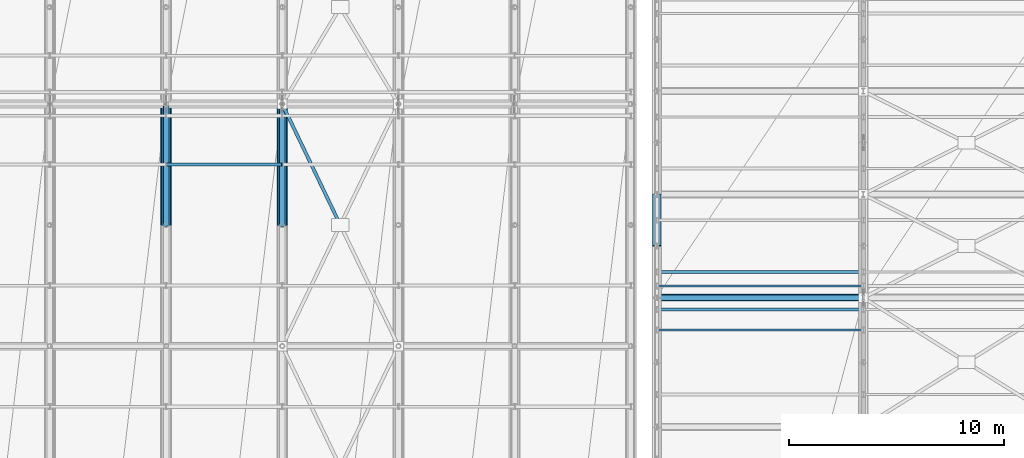
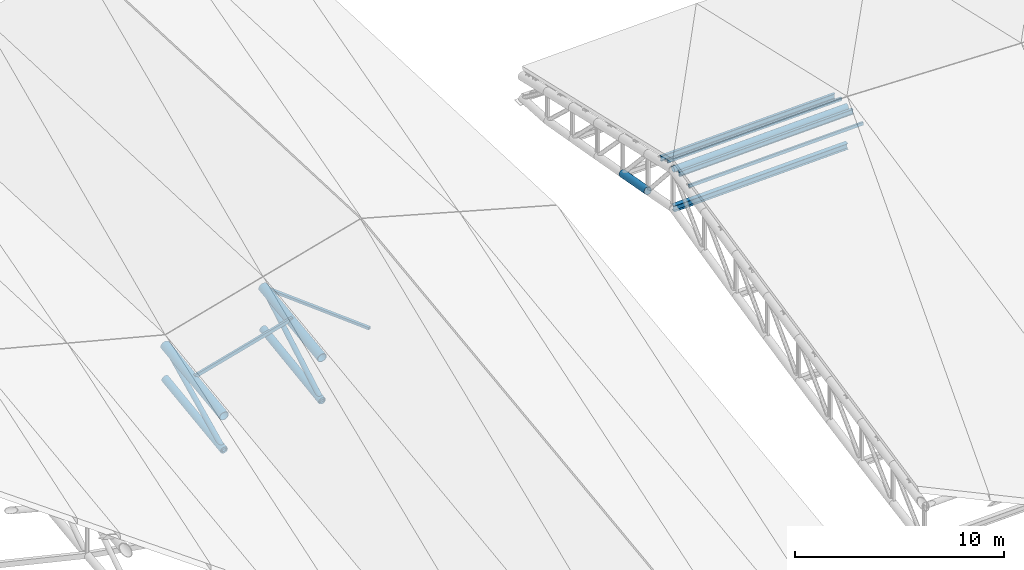
# One storey, part 43 of 109: 10 members, 5 beams.
"""IFC4 building model written with IfcOpenShell, lengths in metres."""

from ifc_helpers import new_model, si_unit, direction, frame, origin, origin_2d, place, context, subcontext, project, spatial, hollow_rectangle, hollow_circle, i_section, extrude, material, material_profile, profile_set, type_object, element, save


model = new_model("IFC4")

# Units and contexts
model_context = context("Model", 3, precision=1e-05, world=origin(), true_north=direction((0.0, 1.0)))
body_context = subcontext(model_context, "Body", "Model", "MODEL_VIEW")
ifc_project = project(units=[si_unit("LENGTHUNIT", "METRE"), si_unit("AREAUNIT", "SQUARE_METRE"), si_unit("VOLUMEUNIT", "CUBIC_METRE"), si_unit("PLANEANGLEUNIT", "RADIAN"), si_unit("MASSUNIT", "GRAM", prefix="KILO")], contexts=[model_context])

# Site, building, storey
site_placement = place(None, origin())
site = spatial("IfcSite", under=ifc_project, at=site_placement, CompositionType="ELEMENT")
building_placement = place(site_placement, origin())
building = spatial("IfcBuilding", under=site, at=building_placement, Name="Suirenkawa Promenade Aquatics Centre", CompositionType="ELEMENT")
storey_placement = place(building_placement, frame((0.0, 0.0, 22.800048828125)))
storey = spatial("IfcBuildingStorey", under=building, at=storey_placement, Name="ROOF", CompositionType="ELEMENT", Elevation=22.800048828125)

# Beams
ifc_material = material(Name="Steel IS 2062 E350 (Grade 350)", Category="steel")
ifc_material_profile_1 = material_profile(ifc_material, hollow_circle(Radius=0.202880859375, WallThickness=0.01806640625, at=origin_2d()), Name="CHS 406x18", Category="steel")
ifc_profile_set_1 = profile_set([ifc_material_profile_1], Name="Steel IS 2062 E350 (Grade 350)")
beam_type_1 = type_object("IfcBeamType", Name="BT-BC-CHS406", PredefinedType="BEAM", material=ifc_profile_set_1)
beam_1_placement = place(storey_placement, frame((133.199951171875, 89.77490234375, -11.9140625), z_axis=(0.0, 0.991040964108, 0.133558254929), x_axis=(-1.0, 0.0, 0.0)))
element("IfcBeam", 1, at=beam_1_placement, inside=storey, type_object=beam_type_1, Name="ROOF TRUSS V1 bottom chord BC-01 BM-2270", PredefinedType="BEAM", context=body_context, shape_type="SweptSolid", body=[
    extrude(hollow_circle(Radius=0.202880859375, WallThickness=0.01806640625, at=origin_2d()), origin(), (0.0, 0.0, 1.0), 5.67578125),
])
beam_2_placement = place(storey_placement, frame((138.60009765625, 89.77490234375, -10.93408203125), z_axis=(0.0, 0.990209108988, 0.139591978559), x_axis=(-1.0, 0.0, 0.0)))
element("IfcBeam", 2, at=beam_2_placement, inside=storey, type_object=beam_type_1, Name="ROOF TRUSS V1 bottom chord BC-01 BM-2298", PredefinedType="BEAM", context=body_context, shape_type="SweptSolid", body=[
    extrude(hollow_circle(Radius=0.202880859375, WallThickness=0.01806640625, at=origin_2d()), origin(), (0.0, 0.0, 1.0), 5.6806640625),
])
beam_3_placement = place(storey_placement, frame((156.0, 88.800048828125, -4.192138671875), z_axis=(0.0, 0.983252807132, -0.182246858046), x_axis=(-1.0, 0.0, 0.0)))
element("IfcBeam", 3, at=beam_3_placement, inside=storey, type_object=beam_type_1, Name="ROOF TRUSS V2 bottom chord BC-01 BM-2422", PredefinedType="BEAM", context=body_context, shape_type="SweptSolid", body=[
    extrude(hollow_circle(Radius=0.202880859375, WallThickness=0.01806640625, at=origin_2d()), origin(), (0.0, 0.0, 1.0), 2.440673828125),
])
ifc_material_profile_2 = material_profile(ifc_material, hollow_circle(Radius=0.25390625, WallThickness=0.02392578125, at=origin_2d()), Name="CHS 508x24", Category="steel")
ifc_profile_set_2 = profile_set([ifc_material_profile_2], Name="Steel IS 2062 E350 (Grade 350)")
beam_type_2 = type_object("IfcBeamType", Name="BT-TC-CHS508", PredefinedType="BEAM", material=ifc_profile_set_2)
for number, where, z_axis, x_axis, name in (
    (4, (133.199951171875, 89.77490234375, -9.925048828125), (0.0, 0.991793720609, 0.127848409297), (-1.0, 0.0, 0.0), "ROOF TRUSS V1 top chord TC-02 BM-2269"),
    (5, (138.60009765625, 89.77490234375, -8.425048828125), (0.0, 0.991793720609, 0.127848409297), (-1.0, 0.0, 0.0), "ROOF TRUSS V1 top chord TC-02 BM-2297"),
):
    element("IfcBeam", number, at=place(storey_placement, frame(where, z_axis=z_axis, x_axis=x_axis)), inside=storey, type_object=beam_type_2, Name=name, PredefinedType="BEAM", context=body_context, shape_type="SweptSolid", body=[
        extrude(hollow_circle(Radius=0.25390625, WallThickness=0.02392578125, at=origin_2d()), origin(), (0.0, 0.0, 1.0), 5.671630859375),
    ])

# Members
ifc_material_profile_3 = material_profile(ifc_material, hollow_rectangle(XDim=0.14990234375, YDim=0.14990234375, WallThickness=0.008056640625, at=origin_2d()), Name="SHS 150x150x8", Category="steel")
ifc_profile_set_3 = profile_set([ifc_material_profile_3], Name="Steel IS 2062 E350 (Grade 350)")
member_type_1 = type_object("IfcMemberType", Name="MT-BRACE-SHS150", PredefinedType="BRACE", material=ifc_profile_set_3)
member_1_placement = place(storey_placement, frame((141.262939453125, 89.85205078125, -7.675048828125), z_axis=(-0.432710757709, 0.901523724047, -0.004046621187), x_axis=(-0.901531105428, -0.432714300603, 0.0)))
element("IfcMember", 6, at=member_1_placement, inside=storey, type_object=member_type_1, Name="ROOF TRUSS V1 split plan brace B BF-02 MB-0964", PredefinedType="BRACE", context=body_context, shape_type="SweptSolid", body=[
    extrude(hollow_rectangle(XDim=0.14990234375, YDim=0.14990234375, WallThickness=0.008056640625, at=origin_2d()), origin(), (0.0, 0.0, 1.0), 6.15380859375),
])
ifc_material_profile_4 = material_profile(ifc_material, hollow_circle(Radius=0.162109375, WallThickness=0.013916015625, at=origin_2d()), Name="CHS 324x14", Category="steel")
ifc_profile_set_4 = profile_set([ifc_material_profile_4], Name="Steel IS 2062 E350 (Grade 350)")
member_type_2 = type_object("IfcMemberType", Name="MT-CHORD-CHS324", PredefinedType="CHORD", material=ifc_profile_set_4)
member_2_placement = place(storey_placement, frame((156.0, 86.39990234375, -1.47998046875), z_axis=(0.999511927284, 0.0, 0.031239513723), x_axis=(0.0, 1.0, 0.0)))
element("IfcMember", 7, at=member_2_placement, inside=storey, type_object=member_type_2, Name="ROOF TRUSS V2 tie chord CH-01 MB-1210", PredefinedType="CHORD", context=body_context, shape_type="SweptSolid", body=[
    extrude(hollow_circle(Radius=0.162109375, WallThickness=0.013916015625, at=origin_2d()), origin(), (0.0, 0.0, 1.0), 9.604736328125),
])
ifc_material_profile_5 = material_profile(ifc_material, i_section(OverallWidth=0.25, OverallDepth=0.35009765625, WebThickness=0.010009765625, FlangeThickness=0.011962890625, at=origin_2d()), Name="ISHB 350", Category="steel")
ifc_profile_set_5 = profile_set([ifc_material_profile_5], Name="Steel IS 2062 E350 (Grade 350)")
member_type_3 = type_object("IfcMemberType", Name="MT-CHORD-ISHB350", PredefinedType="CHORD", material=ifc_profile_set_5)
member_3_placement = place(storey_placement, frame((156.0, 86.39990234375, -3.734130859375), z_axis=(0.999511927284, 0.0, 0.031239513723), x_axis=(0.0, 1.0, 0.0)))
element("IfcMember", 8, at=member_3_placement, inside=storey, type_object=member_type_3, Name="ROOF TRUSS V2 bottom tie CH-04 MB-1211", PredefinedType="CHORD", context=body_context, shape_type="SweptSolid", body=[
    extrude(i_section(OverallWidth=0.25, OverallDepth=0.35009765625, WebThickness=0.010009765625, FlangeThickness=0.011962890625, at=origin_2d()), origin(), (0.0, 0.0, 1.0), 9.604736328125),
])
ifc_material_profile_6 = material_profile(ifc_material, i_section(OverallWidth=0.139892578125, OverallDepth=0.300048828125, WebThickness=0.008056640625, FlangeThickness=0.012939453125, at=origin_2d()), Name="ISMB 300", Category="steel")
ifc_profile_set_6 = profile_set([ifc_material_profile_6], Name="Steel IS 2062 E350 (Grade 350)")
member_type_4 = type_object("IfcMemberType", Name="MT-PURLIN-ISMB300", PredefinedType="PURLIN", material=ifc_profile_set_6)
for number, where, z_axis, x_axis, name in (
    (9, (156.0, 85.85009765625, -1.41015625), (0.999511927284, 0.0, 0.031239513723), (0.0, 1.0, 0.0), "ROOF TRUSS Roof purlin PU-05 MB-2446"),
    (10, (156.0, 87.60009765625, -1.571044921875), (0.999511927284, 0.0, 0.031239513723), (0.0, 1.0, 0.0), "ROOF TRUSS Roof purlin PU-05 MB-2452"),
):
    element("IfcMember", number, at=place(storey_placement, frame(where, z_axis=z_axis, x_axis=x_axis)), inside=storey, type_object=member_type_4, Name=name, PredefinedType="PURLIN", context=body_context, shape_type="SweptSolid", body=[
        extrude(i_section(OverallWidth=0.139892578125, OverallDepth=0.300048828125, WebThickness=0.008056640625, FlangeThickness=0.012939453125, at=origin_2d()), origin(), (0.0, 0.0, 1.0), 9.604736328125),
    ])
ifc_material_profile_7 = material_profile(ifc_material, hollow_rectangle(XDim=0.10009765625, YDim=0.179931640625, WallThickness=0.008056640625, at=origin_2d()), Name="RHS 180x100x8", Category="steel")
ifc_profile_set_7 = profile_set([ifc_material_profile_7], Name="Steel IS 2062 E350 (Grade 350)")
member_type_5 = type_object("IfcMemberType", Name="MT-PURLIN-RHS180", PredefinedType="PURLIN", material=ifc_profile_set_7)
for number, where, z_axis, x_axis, name in (
    (11, (156.0, 84.89990234375, -1.546142578125), (0.999511927284, 0.0, 0.031239513723), (0.0, 1.0, 0.0), "ROOF TRUSS Roof purlin PU-01 MB-2443"),
    (12, (156.0, 86.949951171875, -1.35693359375), (0.99951272064, 0.0, 0.031214119855), (0.0, 1.0, 0.0), "ROOF TRUSS Roof purlin PU-01 MB-2449"),
):
    element("IfcMember", number, at=place(storey_placement, frame(where, z_axis=z_axis, x_axis=x_axis)), inside=storey, type_object=member_type_5, Name=name, PredefinedType="PURLIN", context=body_context, shape_type="SweptSolid", body=[
        extrude(hollow_rectangle(XDim=0.10009765625, YDim=0.179931640625, WallThickness=0.008056640625, at=origin_2d()), origin(), (0.0, 0.0, 1.0), 9.604736328125),
    ])
ifc_material_profile_8 = material_profile(ifc_material, hollow_rectangle(XDim=0.1201171875, YDim=0.199951171875, WallThickness=0.008056640625, at=origin_2d()), Name="RHS 200x120x8", Category="steel")
ifc_profile_set_8 = profile_set([ifc_material_profile_8], Name="Steel IS 2062 E350 (Grade 350)")
member_type_6 = type_object("IfcMemberType", Name="MT-PURLIN-RHS200", PredefinedType="PURLIN", material=ifc_profile_set_8)
member_4_placement = place(storey_placement, frame((133.199951171875, 92.587890625, -9.316162109375), z_axis=(0.963519781844, 0.0, 0.267637123724), x_axis=(0.0, 1.0, 0.0)))
element("IfcMember", 13, at=member_4_placement, inside=storey, type_object=member_type_6, Name="ROOF TRUSS Roof purlin PU-02 MB-2279", PredefinedType="PURLIN", context=body_context, shape_type="SweptSolid", body=[
    extrude(hollow_rectangle(XDim=0.1201171875, YDim=0.199951171875, WallThickness=0.008056640625, at=origin_2d()), origin(), (0.0, 0.0, 1.0), 5.6044921875),
])
ifc_material_profile_9 = material_profile(ifc_material, hollow_circle(Radius=0.136962890625, WallThickness=0.011962890625, at=origin_2d()), Name="CHS 274x12", Category="steel")
ifc_profile_set_9 = profile_set([ifc_material_profile_9], Name="Steel IS 2062 E350 (Grade 350)")
member_type_7 = type_object("IfcMemberType", Name="MT-WEB-CHS274", PredefinedType="BRACE", material=ifc_profile_set_9)
member_5_placement = place(storey_placement, frame((133.199951171875, 89.77490234375, -11.9140625), z_axis=(0.0, 0.900639750015, 0.434566497436), x_axis=(-1.0, 0.0, 0.0)))
element("IfcMember", 14, at=member_5_placement, inside=storey, type_object=member_type_7, Name="ROOF TRUSS V1 web diagonal TD-02 MB-0440", PredefinedType="BRACE", context=body_context, shape_type="SweptSolid", body=[
    extrude(hollow_circle(Radius=0.136962890625, WallThickness=0.011962890625, at=origin_2d()), origin(), (0.0, 0.0, 1.0), 6.24560546875),
])
member_6_placement = place(storey_placement, frame((138.60009765625, 89.77490234375, -10.93408203125), z_axis=(0.0, 0.866922562202, 0.498442846419), x_axis=(-1.0, 0.0, 0.0)))
element("IfcMember", 15, at=member_6_placement, inside=storey, type_object=member_type_7, Name="ROOF TRUSS V1 web diagonal TD-02 MB-0467", PredefinedType="BRACE", context=body_context, shape_type="SweptSolid", body=[
    extrude(hollow_circle(Radius=0.136962890625, WallThickness=0.011962890625, at=origin_2d()), origin(), (0.0, 0.0, 1.0), 6.488525390625),
])

save(model, "model.ifc")
